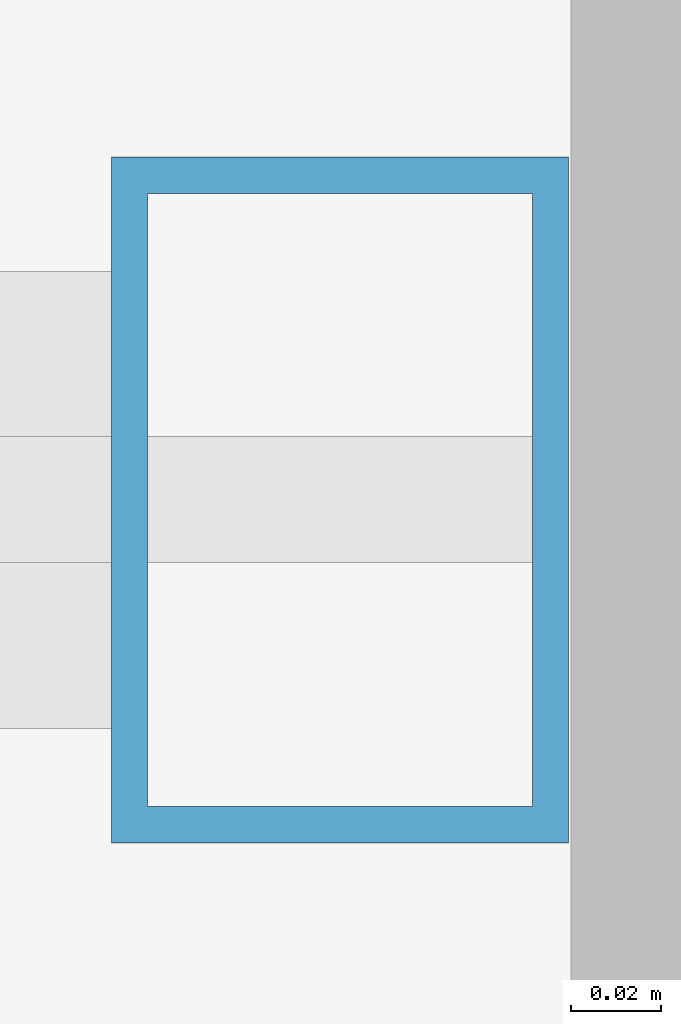
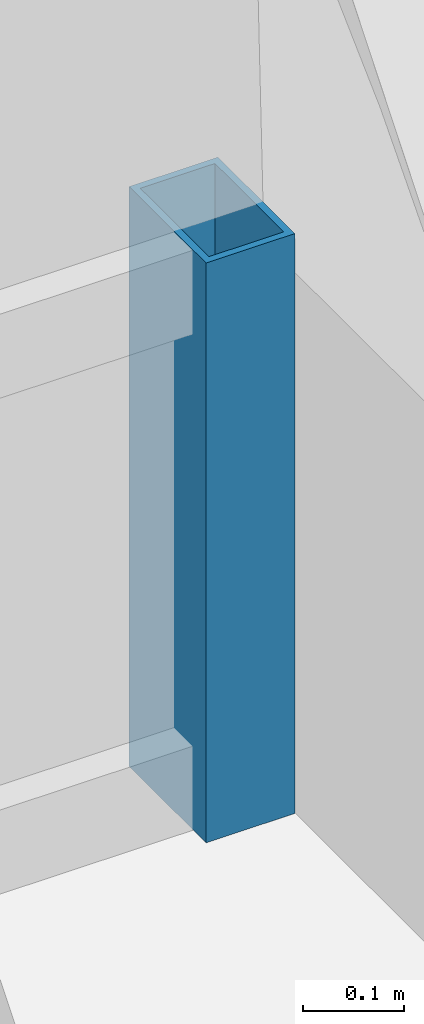
# One storey, part 65 of 169: 1 member, 1 element without a shape of its own.
"""IFC4 building model written with IfcOpenShell, lengths in metres."""

from ifc_helpers import new_model, si_unit, direction, frame, origin, origin_2d, place, context, subcontext, project, spatial, hollow_rectangle, extrude, material, layer, layer_set, material_profile, profile_set, type_object, element, aggregate, save


model = new_model("IFC4")

# Units and contexts
model_context = context("Model", 3, precision=1e-05, world=origin(), true_north=direction((0.0, 1.0)))
body_context = subcontext(model_context, "Body", "Model", "MODEL_VIEW")
ifc_project = project(units=[si_unit("LENGTHUNIT", "METRE"), si_unit("AREAUNIT", "SQUARE_METRE"), si_unit("VOLUMEUNIT", "CUBIC_METRE"), si_unit("PLANEANGLEUNIT", "RADIAN"), si_unit("MASSUNIT", "GRAM", prefix="KILO")], contexts=[model_context])

# Site, building, storey
site_placement = place(None, origin())
site = spatial("IfcSite", under=ifc_project, at=site_placement, CompositionType="ELEMENT")
building_placement = place(site_placement, origin())
building = spatial("IfcBuilding", under=site, at=building_placement, Name="Verrick Yard Athletic Hall", CompositionType="ELEMENT")
storey_placement = place(building_placement, frame((0.0, 0.0, 4.39990234375)))
storey = spatial("IfcBuildingStorey", under=building, at=storey_placement, Name="L01", CompositionType="ELEMENT", Elevation=4.39990234375)

# Curtain wall, member
ifc_material_1 = material(Name="Aluminium and glass curtain wall", Category="aluminium")
ifc_layer = layer(ifc_material_1, 0.14990234375)
ifc_layer_set = layer_set([ifc_layer], Name="Arcade glazing arch")
curtain_wall_type = type_object("IfcCurtainWallType", Name="Arcade glazing arch", PredefinedType="NOTDEFINED", material=ifc_layer_set)
curtain_wall_placement = place(storey_placement, origin())
curtain_wall = element("IfcCurtainWall", 1, at=curtain_wall_placement, inside=storey, type_object=curtain_wall_type, Name="Arcade glazing S4", PredefinedType="NOTDEFINED")
ifc_material_2 = material(Name="Structural steel HSS Class C 350W (CSA G40.20/G40.21)", Category="steel")
ifc_material_profile = material_profile(ifc_material_2, hollow_rectangle(XDim=0.1015625, YDim=0.15234375, WallThickness=0.008056640625, at=origin_2d()), Name="HSS152x102x7.9")
ifc_profile_set = profile_set([ifc_material_profile], Name="Structural steel HSS Class C 350W (CSA G40.20/G40.21)")
member_type = type_object("IfcMemberType", Name="Curtain wall mullion HSS152x102x7.9", PredefinedType="MULLION", material=ifc_profile_set)
member_placement = place(storey_placement, frame((105.94873046875, 18.89990234375, 0.0), z_axis=(0.0, 0.0, 1.0), x_axis=(1.0, 0.0, 0.0)))
member = element("IfcMember", 2, at=member_placement, type_object=member_type, Name="Arcade glazing S4 mullion 9", PredefinedType="MULLION", context=body_context, shape_type="SweptSolid", body=[
    extrude(hollow_rectangle(XDim=0.1015625, YDim=0.15234375, WallThickness=0.008056640625, at=origin_2d()), origin(), (0.0, 0.0, 1.0), 0.700927734375),
])
aggregate(curtain_wall, [member])

save(model, "model.ifc")
